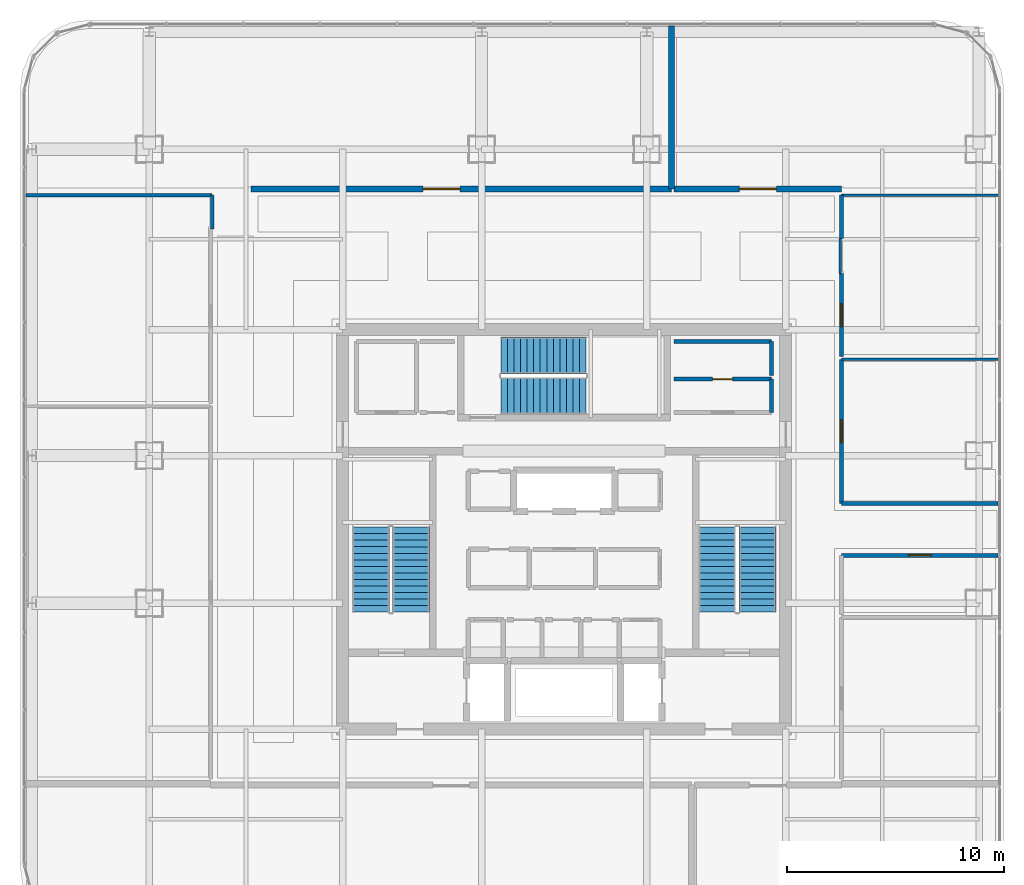
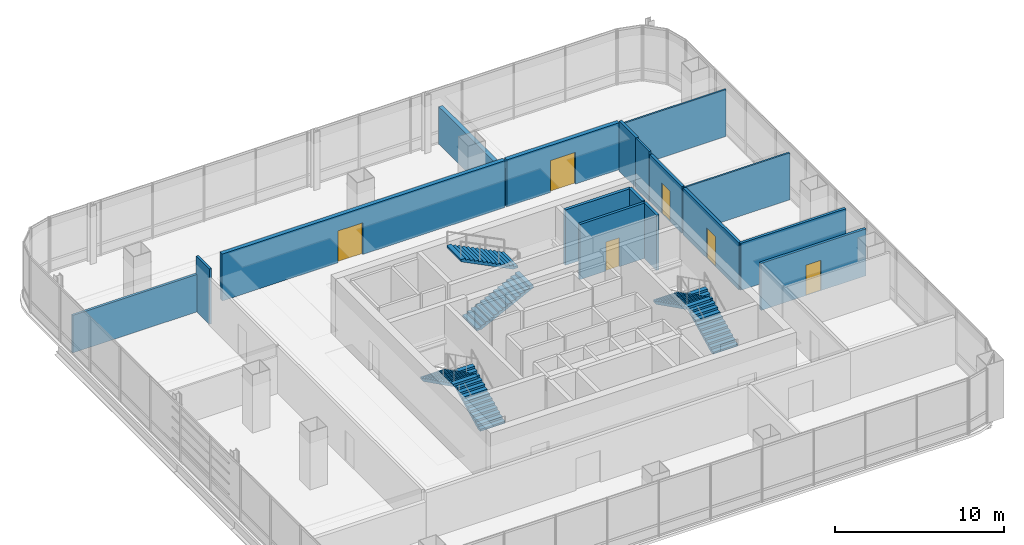
# One storey, part 36 of 42: 17 walls, 6 doors, 6 stair flights, 6 openings, 3 elements without a shape of their own.
"""IFC4 building model written with IfcOpenShell, lengths in metres."""

from ifc_helpers import new_model, si_unit, direction, frame, frame_2d, origin, place, context, subcontext, project, spatial, polyline, rectangle, outline, extrude, material, layer, layer_set, type_object, element, fill, aggregate, save


model = new_model("IFC4")

# Units and contexts
model_context = context("Model", 3, precision=1e-05, world=origin(), true_north=direction((0.0, 1.0)))
body_context = subcontext(model_context, "Body", "Model", "MODEL_VIEW")
ifc_project = project(units=[si_unit("LENGTHUNIT", "METRE"), si_unit("AREAUNIT", "SQUARE_METRE"), si_unit("VOLUMEUNIT", "CUBIC_METRE"), si_unit("PLANEANGLEUNIT", "RADIAN"), si_unit("MASSUNIT", "GRAM", prefix="KILO")], contexts=[model_context])

# Site, building, storey
site_placement = place(None, origin())
site = spatial("IfcSite", under=ifc_project, at=site_placement, CompositionType="ELEMENT")
building_placement = place(site_placement, origin())
building = spatial("IfcBuilding", under=site, at=building_placement, Name="Punatoya Terracotta Tower", CompositionType="ELEMENT")
storey_placement = place(building_placement, frame((0.0, 0.0, 304.800048828125)))
storey = spatial("IfcBuildingStorey", under=building, at=storey_placement, Name="L72", CompositionType="ELEMENT", Elevation=304.800048828125)

# Wall
ifc_material_1 = material(Name="Concrete C40/50", Category="concrete")
ifc_layer_1 = layer(ifc_material_1, 0.280029296875)
ifc_layer_set_1 = layer_set([ifc_layer_1], Name="Concrete C40/50")
wall_type_1 = type_object("IfcWallType", Name="WL-AUD-280", PredefinedType="SOLIDWALL", material=ifc_layer_set_1)
wall_1_placement = place(storey_placement, frame((4.947998046875, 23.169921875, 0.0), z_axis=(0.0, 0.0, 1.0), x_axis=(0.0, -1.0, 0.0)))
element("IfcWall", 1, at=wall_1_placement, inside=storey, type_object=wall_type_1, Name="L72 Terrace Refreshment Lounge Partition 60", PredefinedType="SOLIDWALL", context=body_context, shape_type="SweptSolid", body=[
    extrude(rectangle(XDim=7.5, YDim=0.280029296875, at=frame_2d((3.75, 0.0))), origin(), (0.0, 0.0, 1.0), 2.7138671875),
])

# Wall, opening, door
wall_2_placement = place(storey_placement, frame((4.947998046875, 15.669921875, 0.0), z_axis=(0.0, 0.0, 1.0), x_axis=(-1.0, 0.0, 0.0)))
wall_2 = element("IfcWall", 2, at=wall_2_placement, inside=storey, type_object=wall_type_1, Name="L72 Terrace Refreshment Lounge Partition 61", PredefinedType="SOLIDWALL", context=body_context, shape_type="SweptSolid", body=[
    extrude(rectangle(XDim=19.367919921875, YDim=0.280029296875, at=frame_2d((9.68408203125, 0.0))), origin(), (0.0, 0.0, 1.0), 3.39404296875),
])
opening_1_placement = place(wall_2_placement, frame((9.73388671875, 0.0, 0.0)))
opening_1 = element("IfcOpeningElement", 3, at=opening_1_placement, cuts=wall_2, Name="Opening FD-D1", PredefinedType="OPENING", context=body_context, shape_type="SweptSolid", body=[
    extrude(rectangle(XDim=1.699951171875, YDim=2.300048828125, at=frame_2d((0.85009765625, 1.14990234375))), frame((0.0, 0.14990234375, 0.0), z_axis=(0.0, -1.0, 0.0), x_axis=(1.0, 0.0, 0.0)), (0.0, 0.0, 1.0), 0.300048828125),
])
ifc_material_2 = material(Name="Timber Teak Veneer Fire Leaf", Category="wood")
door_type_1 = type_object("IfcDoorType", Name="DR-DIN-1700", OperationType="NOTDEFINED", PredefinedType="DOOR", material=ifc_material_2)
door_1_placement = place(opening_1_placement, origin())
door_1 = element("IfcDoor", 4, at=door_1_placement, inside=storey, type_object=door_type_1, Name="L72 Terrace Refreshment Lounge Fire Door", OperationType="DOUBLE_DOOR_SINGLE_SWING", OverallHeight=2.300048828125, OverallWidth=1.699951171875, PredefinedType="DOOR", context=body_context, shape_type="SweptSolid", body=[
    extrude(rectangle(XDim=1.699951171875, YDim=2.300048828125, at=frame_2d((0.85009765625, 1.14990234375))), frame((0.0, 0.02490234375, 0.0), z_axis=(0.0, -1.0, 0.0), x_axis=(1.0, 0.0, 0.0)), (0.0, 0.0, 1.0), 0.050048828125),
])
fill(opening_1, door_1)

wall_3_placement = place(storey_placement, frame((12.77001953125, 15.669921875, 0.0), z_axis=(0.0, 0.0, 1.0), x_axis=(-1.0, 0.0, 0.0)))
wall_3 = element("IfcWall", 5, at=wall_3_placement, inside=storey, type_object=wall_type_1, Name="L72 Open-Plan Hospitality Hosting Lounge Partition 62", PredefinedType="SOLIDWALL", context=body_context, shape_type="SweptSolid", body=[
    extrude(rectangle(XDim=7.701904296875, YDim=0.280029296875, at=frame_2d((3.85107421875, 0.0))), origin(), (0.0, 0.0, 1.0), 3.39404296875),
])
opening_2_placement = place(wall_3_placement, frame((3.0009765625, 0.0, 0.0)))
opening_2 = element("IfcOpeningElement", 6, at=opening_2_placement, cuts=wall_3, Name="Opening FD-D1", PredefinedType="OPENING", context=body_context, shape_type="SweptSolid", body=[
    extrude(rectangle(XDim=1.699951171875, YDim=2.300048828125, at=frame_2d((0.85009765625, 1.14990234375))), frame((0.0, 0.14990234375, 0.0), z_axis=(0.0, -1.0, 0.0), x_axis=(1.0, 0.0, 0.0)), (0.0, 0.0, 1.0), 0.300048828125),
])
door_2_placement = place(opening_2_placement, origin())
door_2 = element("IfcDoor", 7, at=door_2_placement, inside=storey, type_object=door_type_1, Name="L72 Open-Plan Hospitality Hosting Lounge Fire Door", OperationType="DOUBLE_DOOR_SINGLE_SWING", OverallHeight=2.300048828125, OverallWidth=1.699951171875, PredefinedType="DOOR", context=body_context, shape_type="SweptSolid", body=[
    extrude(rectangle(XDim=1.699951171875, YDim=2.300048828125, at=frame_2d((0.85009765625, 1.14990234375))), frame((0.0, 0.02490234375, 0.0), z_axis=(0.0, -1.0, 0.0), x_axis=(1.0, 0.0, 0.0)), (0.0, 0.0, 1.0), 0.050048828125),
])
fill(opening_2, door_2)

# Wall
ifc_material_3 = material(Name="Gypsum Fireboard + Steel Stud", Category="steel")
ifc_layer_2 = layer(ifc_material_3, 0.179931640625)
ifc_layer_set_2 = layer_set([ifc_layer_2], Name="Gypsum Fireboard + Steel Stud")
wall_type_2 = type_object("IfcWallType", Name="WL-CORR-180", PredefinedType="PARTITIONING", material=ifc_layer_set_2)
wall_4_placement = place(storey_placement, frame((9.550048828125, 5.3798828125, 0.0), z_axis=(0.0, 0.0, 1.0), x_axis=(0.0, 1.0, 0.0)))
element("IfcWall", 8, at=wall_4_placement, inside=storey, type_object=wall_type_2, Name="L72 East Core Reference Room Partition 34", PredefinedType="PARTITIONING", context=body_context, shape_type="SweptSolid", body=[
    extrude(rectangle(XDim=1.5400390625, YDim=0.179931640625, at=frame_2d((0.77001953125, 0.0))), origin(), (0.0, 0.0, 1.0), 4.0),
])

# Wall, opening, door
wall_5_placement = place(storey_placement, frame((9.550048828125, 6.919921875, 0.0), z_axis=(0.0, 0.0, 1.0), x_axis=(-1.0, 0.0, 0.0)))
wall_5 = element("IfcWall", 9, at=wall_5_placement, inside=storey, type_object=wall_type_2, Name="L72 East Core Reference Room Partition 35", PredefinedType="PARTITIONING", context=body_context, shape_type="SweptSolid", body=[
    extrude(rectangle(XDim=4.5, YDim=0.179931640625, at=frame_2d((2.25, 0.0))), origin(), (0.0, 0.0, 1.0), 4.0),
])
opening_3_placement = place(wall_5_placement, frame((1.7900390625, 0.0, 0.0)))
opening_3 = element("IfcOpeningElement", 10, at=opening_3_placement, cuts=wall_5, Name="Opening FD-R1", PredefinedType="OPENING", context=body_context, shape_type="SweptSolid", body=[
    extrude(rectangle(XDim=0.919921875, YDim=2.10009765625, at=frame_2d((0.4599609375, 1.050048828125))), frame((0.0, 0.099853515625, 0.0), z_axis=(0.0, -1.0, 0.0), x_axis=(1.0, 0.0, 0.0)), (0.0, 0.0, 1.0), 0.199951171875),
])
ifc_material_4 = material(Name="Galvanised Steel Riser Fire Access Door", Category="steel")
door_type_2 = type_object("IfcDoorType", Name="DR-RSR-920", OperationType="NOTDEFINED", PredefinedType="DOOR", material=ifc_material_4)
door_3_placement = place(opening_3_placement, origin())
door_3 = element("IfcDoor", 11, at=door_3_placement, inside=storey, type_object=door_type_2, Name="L72 East Core Supply Store Fire Door", OperationType="SINGLE_SWING_LEFT", OverallHeight=2.10009765625, OverallWidth=0.919921875, PredefinedType="DOOR", context=body_context, shape_type="SweptSolid", body=[
    extrude(rectangle(XDim=0.919921875, YDim=2.10009765625, at=frame_2d((0.4599609375, 1.050048828125))), frame((0.0, 0.02490234375, 0.0), z_axis=(0.0, -1.0, 0.0), x_axis=(1.0, 0.0, 0.0)), (0.0, 0.0, 1.0), 0.050048828125),
])
fill(opening_3, door_3)

wall_6_placement = place(storey_placement, frame((12.77001953125, -1.199951171875, 0.0), z_axis=(0.0, 0.0, 1.0), x_axis=(1.0, 0.0, 0.0)))
wall_6 = element("IfcWall", 12, at=wall_6_placement, inside=storey, type_object=wall_type_2, Name="L72 Open-Plan Private Dining Boardroom Partition 48", PredefinedType="PARTITIONING", context=body_context, shape_type="SweptSolid", body=[
    extrude(rectangle(XDim=7.199951171875, YDim=0.179931640625, at=frame_2d((3.60009765625, 0.0))), origin(), (0.0, 0.0, 1.0), 3.39404296875),
])
opening_4_placement = place(wall_6_placement, frame((3.090087890625, 0.0, 0.0)))
opening_4 = element("IfcOpeningElement", 13, at=opening_4_placement, cuts=wall_6, Name="Opening MD-01", PredefinedType="OPENING", context=body_context, shape_type="SweptSolid", body=[
    extrude(rectangle(XDim=1.02001953125, YDim=2.199951171875, at=frame_2d((0.510009765625, 1.10009765625))), frame((0.0, 0.099853515625, 0.0), z_axis=(0.0, -1.0, 0.0), x_axis=(1.0, 0.0, 0.0)), (0.0, 0.0, 1.0), 0.199951171875),
])
ifc_material_5 = material(Name="Aluminium + Acoustic Glass Leaf", Category="aluminium")
door_type_3 = type_object("IfcDoorType", Name="DR-MTG-1020", OperationType="NOTDEFINED", PredefinedType="DOOR", material=ifc_material_5)
door_4_placement = place(opening_4_placement, origin())
door_4 = element("IfcDoor", 14, at=door_4_placement, inside=storey, type_object=door_type_3, Name="L72 Open-Plan Private Dining Boardroom Door", OperationType="SINGLE_SWING_RIGHT", OverallHeight=2.199951171875, OverallWidth=1.02001953125, PredefinedType="DOOR", context=body_context, shape_type="SweptSolid", body=[
    extrude(rectangle(XDim=1.02001953125, YDim=2.199951171875, at=frame_2d((0.510009765625, 1.10009765625))), frame((0.0, 0.02490234375, 0.0), z_axis=(0.0, -1.0, 0.0), x_axis=(1.0, 0.0, 0.0)), (0.0, 0.0, 1.0), 0.050048828125),
])
fill(opening_4, door_4)

wall_7_placement = place(storey_placement, frame((12.77001953125, 1.199951171875, 0.0), z_axis=(0.0, 0.0, 1.0), x_axis=(0.0, 1.0, 0.0)))
wall_7 = element("IfcWall", 15, at=wall_7_placement, inside=storey, type_object=wall_type_2, Name="L72 Open-Plan Wellness Relaxation Lounge Partition 50", PredefinedType="PARTITIONING", context=body_context, shape_type="SweptSolid", body=[
    extrude(rectangle(XDim=6.630126953125, YDim=0.179931640625, at=frame_2d((3.31494140625, 0.0))), origin(), (0.0, 0.0, 1.0), 3.39404296875),
])
opening_5_placement = place(wall_7_placement, frame((2.7900390625, 0.0, 0.0)))
opening_5 = element("IfcOpeningElement", 16, at=opening_5_placement, cuts=wall_7, Name="Opening OD-01", PredefinedType="OPENING", context=body_context, shape_type="SweptSolid", body=[
    extrude(rectangle(XDim=1.050048828125, YDim=2.199951171875, at=frame_2d((0.52490234375, 1.10009765625))), frame((0.0, 0.099853515625, 0.0), z_axis=(0.0, -1.0, 0.0), x_axis=(1.0, 0.0, 0.0)), (0.0, 0.0, 1.0), 0.199951171875),
])
ifc_material_6 = material(Name="Bengal Teak Solid-Core Leaf")
door_type_4 = type_object("IfcDoorType", Name="DR-OFF-1050", OperationType="NOTDEFINED", PredefinedType="DOOR", material=ifc_material_6)
door_5_placement = place(opening_5_placement, origin())
door_5 = element("IfcDoor", 17, at=door_5_placement, inside=storey, type_object=door_type_4, Name="L72 Open-Plan Wellness Relaxation Lounge Door", OperationType="SINGLE_SWING_LEFT", OverallHeight=2.199951171875, OverallWidth=1.050048828125, PredefinedType="DOOR", context=body_context, shape_type="SweptSolid", body=[
    extrude(rectangle(XDim=1.050048828125, YDim=2.199951171875, at=frame_2d((0.52490234375, 1.10009765625))), frame((0.0, 0.02490234375, 0.0), z_axis=(0.0, -1.0, 0.0), x_axis=(1.0, 0.0, 0.0)), (0.0, 0.0, 1.0), 0.050048828125),
])
fill(opening_5, door_5)

# Wall
wall_8_placement = place(storey_placement, frame((19.969970703125, 1.199951171875, 0.0), z_axis=(0.0, 0.0, 1.0), x_axis=(-1.0, 0.0, 0.0)))
element("IfcWall", 18, at=wall_8_placement, inside=storey, type_object=wall_type_2, Name="L72 Open-Plan Wellness Relaxation Lounge Partition 52", PredefinedType="PARTITIONING", context=body_context, shape_type="SweptSolid", body=[
    extrude(rectangle(XDim=7.199951171875, YDim=0.179931640625, at=frame_2d((3.60009765625, 0.0))), origin(), (0.0, 0.0, 1.0), 3.39404296875),
])

# Wall, opening, door
wall_9_placement = place(storey_placement, frame((12.77001953125, 7.949951171875, 0.0), z_axis=(0.0, 0.0, 1.0), x_axis=(0.0, 1.0, 0.0)))
wall_9 = element("IfcWall", 19, at=wall_9_placement, inside=storey, type_object=wall_type_2, Name="L72 Waterfront Club Lounge Partition 56", PredefinedType="PARTITIONING", context=body_context, shape_type="SweptSolid", body=[
    extrude(rectangle(XDim=3.820068359375, YDim=0.179931640625, at=frame_2d((1.91015625, 0.0))), origin(), (0.0, 0.0, 1.0), 3.39404296875),
])
opening_6_placement = place(wall_9_placement, frame((1.385009765625, 0.0, 0.0)))
opening_6 = element("IfcOpeningElement", 20, at=opening_6_placement, cuts=wall_9, Name="Opening OD-01", PredefinedType="OPENING", context=body_context, shape_type="SweptSolid", body=[
    extrude(rectangle(XDim=1.050048828125, YDim=2.199951171875, at=frame_2d((0.52490234375, 1.10009765625))), frame((0.0, 0.099853515625, 0.0), z_axis=(0.0, -1.0, 0.0), x_axis=(1.0, 0.0, 0.0)), (0.0, 0.0, 1.0), 0.199951171875),
])
door_6_placement = place(opening_6_placement, origin())
door_6 = element("IfcDoor", 21, at=door_6_placement, inside=storey, type_object=door_type_4, Name="L72 Waterfront Club Lounge Door", OperationType="SINGLE_SWING_LEFT", OverallHeight=2.199951171875, OverallWidth=1.050048828125, PredefinedType="DOOR", context=body_context, shape_type="SweptSolid", body=[
    extrude(rectangle(XDim=1.050048828125, YDim=2.199951171875, at=frame_2d((0.52490234375, 1.10009765625))), frame((0.0, 0.02490234375, 0.0), z_axis=(0.0, -1.0, 0.0), x_axis=(1.0, 0.0, 0.0)), (0.0, 0.0, 1.0), 0.050048828125),
])
fill(opening_6, door_6)

# Walls
wall_10_placement = place(storey_placement, frame((12.77001953125, 13.3798828125, 0.0), z_axis=(0.0, 0.0, 1.0), x_axis=(0.0, 1.0, 0.0)))
element("IfcWall", 22, at=wall_10_placement, inside=storey, type_object=wall_type_2, Name="L72 Waterfront Club Lounge Partition 58", PredefinedType="PARTITIONING", context=body_context, shape_type="SweptSolid", body=[
    extrude(rectangle(XDim=2.010009765625, YDim=0.179931640625, at=frame_2d((1.0048828125, 0.0))), origin(), (0.0, 0.0, 1.0), 3.634033203125),
])
ifc_layer_3 = layer(ifc_material_1, 0.199951171875)
ifc_layer_set_3 = layer_set([ifc_layer_3], Name="Concrete C40/50")
wall_type_3 = type_object("IfcWallType", Name="WL-INT-200", PredefinedType="SOLIDWALL", material=ifc_layer_set_3)
wall_11_placement = place(storey_placement, frame((9.550048828125, 7.080078125, 0.0), z_axis=(0.0, 0.0, 1.0), x_axis=(0.0, 1.0, 0.0)))
element("IfcWall", 23, at=wall_11_placement, inside=storey, type_object=wall_type_3, Name="L72 East Core Supply Store Partition 37", PredefinedType="SOLIDWALL", context=body_context, shape_type="SweptSolid", body=[
    extrude(rectangle(XDim=1.56982421875, YDim=0.199951171875, at=frame_2d((0.784912109375, 0.0))), origin(), (0.0, 0.0, 1.0), 4.0),
])
wall_12_placement = place(storey_placement, frame((9.550048828125, 8.64990234375, 0.0), z_axis=(0.0, 0.0, 1.0), x_axis=(-1.0, 0.0, 0.0)))
element("IfcWall", 24, at=wall_12_placement, inside=storey, type_object=wall_type_3, Name="L72 East Core Supply Store Partition 38", PredefinedType="SOLIDWALL", context=body_context, shape_type="SweptSolid", body=[
    extrude(rectangle(XDim=4.5, YDim=0.199951171875, at=frame_2d((2.25, 0.0))), origin(), (0.0, 0.0, 1.0), 4.0),
])
ifc_material_7 = material(Name="Gypsum Partition + Steel Stud", Category="steel")
ifc_layer_4 = layer(ifc_material_7, 0.1201171875)
ifc_layer_set_4 = layer_set([ifc_layer_4], Name="Gypsum Partition + Steel Stud")
wall_type_4 = type_object("IfcWallType", Name="WL-OFF-120", PredefinedType="PARTITIONING", material=ifc_layer_set_4)
wall_13_placement = place(storey_placement, frame((12.77001953125, 7.830078125, 0.0), z_axis=(0.0, 0.0, 1.0), x_axis=(1.0, 0.0, 0.0)))
element("IfcWall", 25, at=wall_13_placement, inside=storey, type_object=wall_type_4, Name="L72 Open-Plan Wellness Relaxation Lounge Partition 51", PredefinedType="PARTITIONING", context=body_context, shape_type="SweptSolid", body=[
    extrude(rectangle(XDim=7.199951171875, YDim=0.1201171875, at=frame_2d((3.60009765625, 0.0))), origin(), (0.0, 0.0, 1.0), 3.39404296875),
])
wall_14_placement = place(storey_placement, frame((12.7099609375, 11.77001953125, 0.0), z_axis=(0.0, 0.0, 1.0), x_axis=(0.0, 1.0, 0.0)))
element("IfcWall", 26, at=wall_14_placement, inside=storey, type_object=wall_type_4, Name="L72 Waterfront Club Lounge Partition 57", PredefinedType="PARTITIONING", context=body_context, shape_type="SweptSolid", body=[
    extrude(rectangle(XDim=1.60986328125, YDim=0.1201171875, at=frame_2d((0.804931640625, 0.0))), origin(), (0.0, 0.0, 1.0), 3.634033203125),
])
wall_15_placement = place(storey_placement, frame((12.77001953125, 15.389892578125, 0.0), z_axis=(0.0, 0.0, 1.0), x_axis=(1.0, 0.0, 0.0)))
element("IfcWall", 27, at=wall_15_placement, inside=storey, type_object=wall_type_4, Name="L72 Waterfront Club Lounge Partition 59", PredefinedType="PARTITIONING", context=body_context, shape_type="SweptSolid", body=[
    extrude(rectangle(XDim=7.199951171875, YDim=0.1201171875, at=frame_2d((3.60009765625, 0.0))), origin(), (0.0, 0.0, 1.0), 3.39404296875),
])
ifc_material_8 = material(Name="Masonry Blockwork + Ceramic Tile", Category="masonry")
ifc_layer_5 = layer(ifc_material_8, 0.159912109375)
ifc_layer_set_5 = layer_set([ifc_layer_5], Name="Masonry Blockwork + Ceramic Tile")
wall_type_5 = type_object("IfcWallType", Name="WL-WET-160", PredefinedType="PARTITIONING", material=ifc_layer_set_5)
wall_16_placement = place(storey_placement, frame((-24.77001953125, 15.389892578125, 0.0), z_axis=(0.0, 0.0, 1.0), x_axis=(1.0, 0.0, 0.0)))
element("IfcWall", 28, at=wall_16_placement, inside=storey, type_object=wall_type_5, Name="L72 Barista Espresso Pantry Partition 53", PredefinedType="PARTITIONING", context=body_context, shape_type="SweptSolid", body=[
    extrude(rectangle(XDim=8.56005859375, YDim=0.159912109375, at=frame_2d((4.280029296875, 0.0))), origin(), (0.0, 0.0, 1.0), 2.7138671875),
])
wall_17_placement = place(storey_placement, frame((-16.2099609375, 15.389892578125, 0.0), z_axis=(0.0, 0.0, 1.0), x_axis=(0.0, -1.0, 0.0)))
element("IfcWall", 29, at=wall_17_placement, inside=storey, type_object=wall_type_5, Name="L72 Barista Espresso Pantry Partition 54", PredefinedType="PARTITIONING", context=body_context, shape_type="SweptSolid", body=[
    extrude(rectangle(XDim=1.56982421875, YDim=0.159912109375, at=frame_2d((0.784912109375, 0.0))), origin(), (0.0, 0.0, 1.0), 4.0),
])

# Stair, stair flights
stair_type_1 = type_object("IfcStairType", Name="STR-CORE-1550", PredefinedType="HALF_TURN_STAIR", material=ifc_material_1)
stair_1_placement = place(storey_placement, origin())
stair_1 = element("IfcStair", 30, at=stair_1_placement, inside=storey, type_object=stair_type_1, Name="L72 Protected Core Exit Stair ST-1", PredefinedType="HALF_TURN_STAIR")
stair_flight_type_1 = type_object("IfcStairFlightType", Name="SFL-CORE-1550", PredefinedType="STRAIGHT", material=ifc_material_1)
stair_flight_1_placement = place(storey_placement, frame((-7.050048828125, -3.800048828125, 0.0), z_axis=(0.0, 0.0, 1.0), x_axis=(0.0, 1.0, 0.0)))
stair_flight_1 = element("IfcStairFlight", 31, at=stair_flight_1_placement, type_object=stair_flight_type_1, Name="ST-1 flight 1", NumberOfRisers=14, NumberOfTreads=13, PredefinedType="STRAIGHT", RiserHeight=0.15, TreadLength=0.3, context=body_context, shape_type="SweptSolid", body=[
    extrude(outline(polyline([(0.0, 0.0), (0.0, 0.14990234375), (0.300048828125, 0.14990234375), (0.300048828125, 0.300048828125), (0.60009765625, 0.300048828125), (0.60009765625, 0.449951171875), (0.89990234375, 0.449951171875), (0.89990234375, 0.60009765625), (1.199951171875, 0.60009765625), (1.199951171875, 0.75), (1.5, 0.75), (1.5, 0.89990234375), (1.800048828125, 0.89990234375), (1.800048828125, 1.050048828125), (2.10009765625, 1.050048828125), (2.10009765625, 1.199951171875), (2.39990234375, 1.199951171875), (2.39990234375, 1.35009765625), (2.699951171875, 1.35009765625), (2.699951171875, 1.5), (3.0, 1.5), (3.0, 1.64990234375), (3.300048828125, 1.64990234375), (3.300048828125, 1.800048828125), (3.60009765625, 1.800048828125), (3.60009765625, 1.949951171875), (3.89990234375, 1.949951171875), (3.89990234375, 2.10009765625), (3.89990234375, 1.782470703125), (0.335205078125, 0.0), (0.0, 0.0)])), frame((0.0, 0.85009765625, 0.0), z_axis=(0.0, -1.0, 0.0), x_axis=(1.0, 0.0, 0.0)), (0.0, 0.0, 1.0), 1.699951171875),
])
stair_flight_2_placement = place(storey_placement, frame((-8.89990234375, 0.10009765625, 2.099853515625), z_axis=(0.0, 0.0, 1.0), x_axis=(0.0, -1.0, 0.0)))
stair_flight_2 = element("IfcStairFlight", 32, at=stair_flight_2_placement, type_object=stair_flight_type_1, Name="ST-1 flight 2", NumberOfRisers=14, NumberOfTreads=13, PredefinedType="STRAIGHT", RiserHeight=0.15, TreadLength=0.3, context=body_context, shape_type="SweptSolid", body=[
    extrude(outline(polyline([(0.0, 0.0), (0.0, 0.14990234375), (0.300048828125, 0.14990234375), (0.300048828125, 0.300048828125), (0.60009765625, 0.300048828125), (0.60009765625, 0.449951171875), (0.89990234375, 0.449951171875), (0.89990234375, 0.60009765625), (1.199951171875, 0.60009765625), (1.199951171875, 0.75), (1.5, 0.75), (1.5, 0.89990234375), (1.800048828125, 0.89990234375), (1.800048828125, 1.050048828125), (2.10009765625, 1.050048828125), (2.10009765625, 1.199951171875), (2.39990234375, 1.199951171875), (2.39990234375, 1.35009765625), (2.699951171875, 1.35009765625), (2.699951171875, 1.5), (3.0, 1.5), (3.0, 1.64990234375), (3.300048828125, 1.64990234375), (3.300048828125, 1.800048828125), (3.60009765625, 1.800048828125), (3.60009765625, 1.949951171875), (3.89990234375, 1.949951171875), (3.89990234375, 2.10009765625), (3.89990234375, 1.782470703125), (0.335205078125, 0.0), (0.0, 0.0)])), frame((0.0, 0.85009765625, 0.0), z_axis=(0.0, -1.0, 0.0), x_axis=(1.0, 0.0, 0.0)), (0.0, 0.0, 1.0), 1.699951171875),
])
aggregate(stair_1, [stair_flight_1, stair_flight_2])

stair_type_2 = type_object("IfcStairType", Name="STR-LOB-1650", PredefinedType="HALF_TURN_STAIR", material=ifc_material_1)
stair_2_placement = place(storey_placement, origin())
stair_2 = element("IfcStair", 33, at=stair_2_placement, inside=storey, type_object=stair_type_2, Name="L72 Protected Core Exit Stair ST-2", PredefinedType="HALF_TURN_STAIR")
stair_flight_type_2 = type_object("IfcStairFlightType", Name="SFL-LOB-1650", PredefinedType="STRAIGHT", material=ifc_material_1)
stair_flight_3_placement = place(storey_placement, frame((8.89990234375, -3.800048828125, 0.0), z_axis=(0.0, 0.0, 1.0), x_axis=(0.0, 1.0, 0.0)))
stair_flight_3 = element("IfcStairFlight", 34, at=stair_flight_3_placement, type_object=stair_flight_type_2, Name="ST-2 flight 1", NumberOfRisers=14, NumberOfTreads=13, PredefinedType="STRAIGHT", RiserHeight=0.15, TreadLength=0.3, context=body_context, shape_type="SweptSolid", body=[
    extrude(outline(polyline([(0.0, 0.0), (0.0, 0.14990234375), (0.300048828125, 0.14990234375), (0.300048828125, 0.300048828125), (0.60009765625, 0.300048828125), (0.60009765625, 0.449951171875), (0.89990234375, 0.449951171875), (0.89990234375, 0.60009765625), (1.199951171875, 0.60009765625), (1.199951171875, 0.75), (1.5, 0.75), (1.5, 0.89990234375), (1.800048828125, 0.89990234375), (1.800048828125, 1.050048828125), (2.10009765625, 1.050048828125), (2.10009765625, 1.199951171875), (2.39990234375, 1.199951171875), (2.39990234375, 1.35009765625), (2.699951171875, 1.35009765625), (2.699951171875, 1.5), (3.0, 1.5), (3.0, 1.64990234375), (3.300048828125, 1.64990234375), (3.300048828125, 1.800048828125), (3.60009765625, 1.800048828125), (3.60009765625, 1.949951171875), (3.89990234375, 1.949951171875), (3.89990234375, 2.10009765625), (3.89990234375, 1.782470703125), (0.335205078125, 0.0), (0.0, 0.0)])), frame((0.0, 0.85009765625, 0.0), z_axis=(0.0, -1.0, 0.0), x_axis=(1.0, 0.0, 0.0)), (0.0, 0.0, 1.0), 1.699951171875),
])
stair_flight_4_placement = place(storey_placement, frame((7.050048828125, 0.10009765625, 2.099853515625), z_axis=(0.0, 0.0, 1.0), x_axis=(0.0, -1.0, 0.0)))
stair_flight_4 = element("IfcStairFlight", 35, at=stair_flight_4_placement, type_object=stair_flight_type_2, Name="ST-2 flight 2", NumberOfRisers=14, NumberOfTreads=13, PredefinedType="STRAIGHT", RiserHeight=0.15, TreadLength=0.3, context=body_context, shape_type="SweptSolid", body=[
    extrude(outline(polyline([(0.0, 0.0), (0.0, 0.14990234375), (0.300048828125, 0.14990234375), (0.300048828125, 0.300048828125), (0.60009765625, 0.300048828125), (0.60009765625, 0.449951171875), (0.89990234375, 0.449951171875), (0.89990234375, 0.60009765625), (1.199951171875, 0.60009765625), (1.199951171875, 0.75), (1.5, 0.75), (1.5, 0.89990234375), (1.800048828125, 0.89990234375), (1.800048828125, 1.050048828125), (2.10009765625, 1.050048828125), (2.10009765625, 1.199951171875), (2.39990234375, 1.199951171875), (2.39990234375, 1.35009765625), (2.699951171875, 1.35009765625), (2.699951171875, 1.5), (3.0, 1.5), (3.0, 1.64990234375), (3.300048828125, 1.64990234375), (3.300048828125, 1.800048828125), (3.60009765625, 1.800048828125), (3.60009765625, 1.949951171875), (3.89990234375, 1.949951171875), (3.89990234375, 2.10009765625), (3.89990234375, 1.782470703125), (0.335205078125, 0.0), (0.0, 0.0)])), frame((0.0, 0.85009765625, 0.0), z_axis=(0.0, -1.0, 0.0), x_axis=(1.0, 0.0, 0.0)), (0.0, 0.0, 1.0), 1.699951171875),
])
aggregate(stair_2, [stair_flight_3, stair_flight_4])

stair_type_3 = type_object("IfcStairType", Name="STR-TER-1450", PredefinedType="HALF_TURN_STAIR", material=ifc_material_1)
stair_3_placement = place(storey_placement, origin())
stair_3 = element("IfcStair", 36, at=stair_3_placement, inside=storey, type_object=stair_type_3, Name="L72 Protected Core Exit Stair ST-3", PredefinedType="HALF_TURN_STAIR")
stair_flight_type_3 = type_object("IfcStairFlightType", Name="SFL-TER-1450", PredefinedType="STRAIGHT", material=ifc_material_1)
stair_flight_5_placement = place(storey_placement, frame((-2.89990234375, 6.14990234375, 0.0), z_axis=(0.0, 0.0, 1.0), x_axis=(1.0, 0.0, 0.0)))
stair_flight_5 = element("IfcStairFlight", 37, at=stair_flight_5_placement, type_object=stair_flight_type_3, Name="ST-3 flight 1", NumberOfRisers=14, NumberOfTreads=13, PredefinedType="STRAIGHT", RiserHeight=0.15, TreadLength=0.3, context=body_context, shape_type="SweptSolid", body=[
    extrude(outline(polyline([(0.0, 0.0), (0.0, 0.14990234375), (0.300048828125, 0.14990234375), (0.300048828125, 0.300048828125), (0.60009765625, 0.300048828125), (0.60009765625, 0.449951171875), (0.89990234375, 0.449951171875), (0.89990234375, 0.60009765625), (1.199951171875, 0.60009765625), (1.199951171875, 0.75), (1.5, 0.75), (1.5, 0.89990234375), (1.800048828125, 0.89990234375), (1.800048828125, 1.050048828125), (2.10009765625, 1.050048828125), (2.10009765625, 1.199951171875), (2.39990234375, 1.199951171875), (2.39990234375, 1.35009765625), (2.699951171875, 1.35009765625), (2.699951171875, 1.5), (3.0, 1.5), (3.0, 1.64990234375), (3.300048828125, 1.64990234375), (3.300048828125, 1.800048828125), (3.60009765625, 1.800048828125), (3.60009765625, 1.949951171875), (3.89990234375, 1.949951171875), (3.89990234375, 2.10009765625), (3.89990234375, 1.782470703125), (0.335205078125, 0.0), (0.0, 0.0)])), frame((0.0, 0.85009765625, 0.0), z_axis=(0.0, -1.0, 0.0), x_axis=(1.0, 0.0, 0.0)), (0.0, 0.0, 1.0), 1.699951171875),
])
stair_flight_6_placement = place(storey_placement, frame((1.0, 8.0, 2.099853515625), z_axis=(0.0, 0.0, 1.0), x_axis=(-1.0, 0.0, 0.0)))
stair_flight_6 = element("IfcStairFlight", 38, at=stair_flight_6_placement, type_object=stair_flight_type_3, Name="ST-3 flight 2", NumberOfRisers=14, NumberOfTreads=13, PredefinedType="STRAIGHT", RiserHeight=0.15, TreadLength=0.3, context=body_context, shape_type="SweptSolid", body=[
    extrude(outline(polyline([(0.0, 0.0), (0.0, 0.14990234375), (0.300048828125, 0.14990234375), (0.300048828125, 0.300048828125), (0.60009765625, 0.300048828125), (0.60009765625, 0.449951171875), (0.89990234375, 0.449951171875), (0.89990234375, 0.60009765625), (1.199951171875, 0.60009765625), (1.199951171875, 0.75), (1.5, 0.75), (1.5, 0.89990234375), (1.800048828125, 0.89990234375), (1.800048828125, 1.050048828125), (2.10009765625, 1.050048828125), (2.10009765625, 1.199951171875), (2.39990234375, 1.199951171875), (2.39990234375, 1.35009765625), (2.699951171875, 1.35009765625), (2.699951171875, 1.5), (3.0, 1.5), (3.0, 1.64990234375), (3.300048828125, 1.64990234375), (3.300048828125, 1.800048828125), (3.60009765625, 1.800048828125), (3.60009765625, 1.949951171875), (3.89990234375, 1.949951171875), (3.89990234375, 2.10009765625), (3.89990234375, 1.782470703125), (0.335205078125, 0.0), (0.0, 0.0)])), frame((0.0, 0.85009765625, 0.0), z_axis=(0.0, -1.0, 0.0), x_axis=(1.0, 0.0, 0.0)), (0.0, 0.0, 1.0), 1.699951171875),
])
aggregate(stair_3, [stair_flight_5, stair_flight_6])

save(model, "model.ifc")
